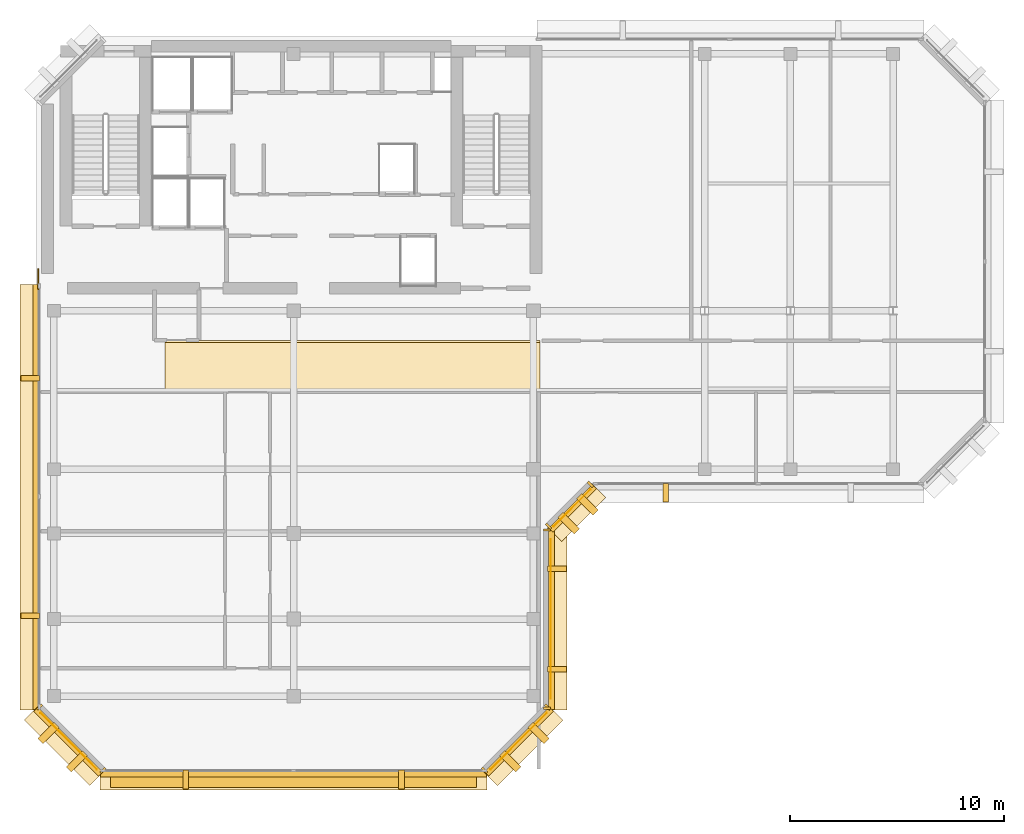
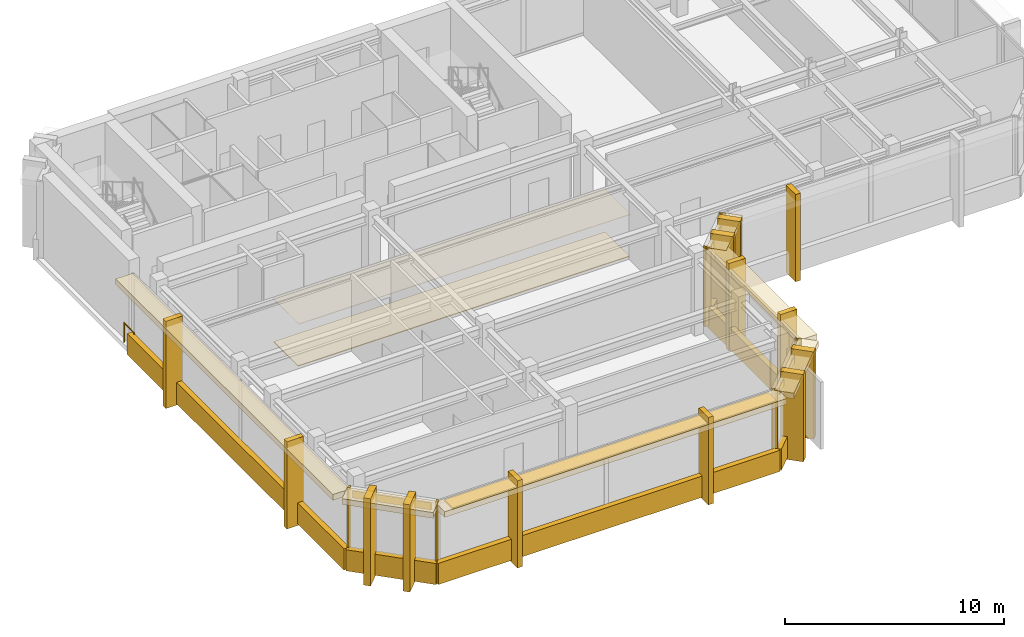
# One storey, part 7 of 9: 39 coverings, 1 railing, 1 shading device.
"""IFC4 building model written with IfcOpenShell, lengths in metres."""

from ifc_helpers import new_model, si_unit, direction, frame, origin, origin_2d, place, context, subcontext, project, spatial, polyline, rectangle, circle, outline, extrude, material, layer, layer_set, type_object, element, save


model = new_model("IFC4")

# Units and contexts
model_context = context("Model", 3, precision=1e-05, world=origin(), true_north=direction((0.0, 1.0)))
body_context = subcontext(model_context, "Body", "Model", "MODEL_VIEW")
ifc_project = project(units=[si_unit("LENGTHUNIT", "METRE"), si_unit("AREAUNIT", "SQUARE_METRE"), si_unit("VOLUMEUNIT", "CUBIC_METRE"), si_unit("PLANEANGLEUNIT", "RADIAN"), si_unit("MASSUNIT", "GRAM", prefix="KILO")], contexts=[model_context])

# Site, building, storey
site_placement = place(None, origin())
site = spatial("IfcSite", under=ifc_project, at=site_placement, CompositionType="ELEMENT")
building_placement = place(site_placement, origin())
building = spatial("IfcBuilding", under=site, at=building_placement, Name="Kefirva Bronze Tower", CompositionType="ELEMENT")
storey_placement = place(building_placement, frame((0.0, 0.0, 361.35009765625)))
storey = spatial("IfcBuildingStorey", under=building, at=storey_placement, Name="L88", CompositionType="ELEMENT", Elevation=361.35009765625)

# Coverings
ifc_material_1 = material(Name="Acoustic mineral tile")
ifc_layer_1 = layer(ifc_material_1, 0.02490234375, Name="Acoustic mineral tile")
ifc_layer_set_1 = layer_set([ifc_layer_1], Name="Acoustic mineral tile")
covering_type_1 = type_object("IfcCoveringType", Name="Acoustic Mineral Suspended Ceiling 25mm", PredefinedType="CEILING", material=ifc_layer_set_1)
covering_1_placement = place(storey_placement, frame((0.0, 0.0, 2.39990234375)))
element("IfcCovering", 1, at=covering_1_placement, inside=storey, type_object=covering_type_1, Name="L88 Corridor Acoustic Ceiling", PredefinedType="CEILING", context=body_context, shape_type="SweptSolid", body=[
    extrude(outline(polyline([(6.0, 29.39990234375), (23.5, 29.39990234375), (23.5, 31.800048828125), (6.0, 31.800048828125), (6.0, 29.39990234375)])), origin(), (0.0, 0.0, 1.0), 0.02490234375),
])
ifc_material_2 = material(Name="Bronze anodised aluminium", Category="aluminium")
ifc_layer_2 = layer(ifc_material_2, 0.02001953125, Name="Bronze anodised aluminium")
ifc_layer_set_2 = layer_set([ifc_layer_2], Name="Bronze anodised aluminium")
covering_type_2 = type_object("IfcCoveringType", Name="Anodised Bronze Spandrel Cladding 20mm", PredefinedType="CLADDING", material=ifc_layer_set_2)
covering_2_placement = place(storey_placement, frame((12.0, 11.56005859375, -0.16015625), z_axis=(0.0, 0.0, 1.0), x_axis=(1.0, 0.0, 0.0)))
element("IfcCovering", 2, at=covering_2_placement, inside=storey, type_object=covering_type_2, Name="L88 Streamline Horizontal Spandrel Band 0", PredefinedType="CLADDING", context=body_context, shape_type="SweptSolid", body=[
    extrude(rectangle(XDim=18.0400390625, YDim=0.280029296875, at=origin_2d()), origin(), (0.0, 0.0, 1.0), 1.179931640625),
])
covering_3_placement = place(storey_placement, frame((22.507080078125, 13.093017578125, 3.849853515625), z_axis=(0.0, 0.0, 1.0), x_axis=(0.707106781187, 0.707106781187, 0.0)))
element("IfcCovering", 3, at=covering_3_placement, inside=storey, type_object=covering_type_2, Name="L88 Bronze Spandrel Cladding 1", PredefinedType="CLADDING", context=body_context, shape_type="SweptSolid", body=[
    extrude(rectangle(XDim=3.719482421875, YDim=0.02001953125, at=origin_2d()), origin(), (0.0, 0.0, 1.0), 0.39990234375),
])
for number, where, z_axis, x_axis, name in (
    (4, (20.91162109375, 11.73779296875, 0.0), (0.0, 0.0, 1.0), (0.707106781187, 0.707106781187, 0.0), "L88 Facade Joint Closure Panel 1S"),
    (5, (23.862060546875, 14.688232421875, 0.0), (0.0, 0.0, 1.0), (0.707106781187, 0.707106781187, 0.0), "L88 Facade Joint Closure Panel 1E"),
):
    element("IfcCovering", number, at=place(storey_placement, frame(where, z_axis=z_axis, x_axis=x_axis)), inside=storey, type_object=covering_type_2, Name=name, PredefinedType="CLADDING", context=body_context, shape_type="SweptSolid", body=[
        extrude(rectangle(XDim=0.10009765625, YDim=0.320068359375, at=origin_2d()), origin(), (0.0, 0.0, 1.0), 4.27001953125),
    ])
covering_4_placement = place(storey_placement, frame((22.5283203125, 13.07177734375, -0.16015625), z_axis=(0.0, 0.0, 1.0), x_axis=(0.707106781187, 0.707106781187, 0.0)))
element("IfcCovering", 6, at=covering_4_placement, inside=storey, type_object=covering_type_2, Name="L88 Streamline Horizontal Spandrel Band 1", PredefinedType="CLADDING", context=body_context, shape_type="SweptSolid", body=[
    extrude(rectangle(XDim=4.28271484375, YDim=0.280029296875, at=origin_2d()), origin(), (0.0, 0.0, 1.0), 1.179931640625),
])
covering_5_placement = place(storey_placement, frame((24.010009765625, 18.800048828125, 3.849853515625), z_axis=(0.0, 0.0, 1.0), x_axis=(0.0, 1.0, 0.0)))
element("IfcCovering", 7, at=covering_5_placement, inside=storey, type_object=covering_type_2, Name="L88 Bronze Spandrel Cladding 2", PredefinedType="CLADDING", context=body_context, shape_type="SweptSolid", body=[
    extrude(rectangle(XDim=7.4609375, YDim=0.02001953125, at=origin_2d()), origin(), (0.0, 0.0, 1.0), 0.39990234375),
])
for number, where, z_axis, x_axis, name in (
    (8, (23.840087890625, 14.635009765625, 0.0), (0.0, 0.0, 1.0), (0.0, 1.0, 0.0), "L88 Facade Joint Closure Panel 2S"),
    (9, (23.840087890625, 22.965087890625, 0.0), (0.0, 0.0, 1.0), (0.0, 1.0, 0.0), "L88 Facade Joint Closure Panel 2E"),
):
    element("IfcCovering", number, at=place(storey_placement, frame(where, z_axis=z_axis, x_axis=x_axis)), inside=storey, type_object=covering_type_2, Name=name, PredefinedType="CLADDING", context=body_context, shape_type="SweptSolid", body=[
        extrude(rectangle(XDim=0.10009765625, YDim=0.320068359375, at=origin_2d()), origin(), (0.0, 0.0, 1.0), 4.27001953125),
    ])
covering_6_placement = place(storey_placement, frame((24.0400390625, 18.800048828125, -0.16015625), z_axis=(0.0, 0.0, 1.0), x_axis=(0.0, 1.0, 0.0)))
element("IfcCovering", 10, at=covering_6_placement, inside=storey, type_object=covering_type_2, Name="L88 Streamline Horizontal Spandrel Band 2", PredefinedType="CLADDING", context=body_context, shape_type="SweptSolid", body=[
    extrude(rectangle(XDim=8.43994140625, YDim=0.280029296875, at=origin_2d()), origin(), (0.0, 0.0, 1.0), 1.179931640625),
])
covering_7_placement = place(storey_placement, frame((25.007080078125, 23.992919921875, 3.849853515625), z_axis=(0.0, 0.0, 1.0), x_axis=(0.707106781187, 0.707106781187, 0.0)))
element("IfcCovering", 11, at=covering_7_placement, inside=storey, type_object=covering_type_2, Name="L88 Bronze Spandrel Cladding 3", PredefinedType="CLADDING", context=body_context, shape_type="SweptSolid", body=[
    extrude(rectangle(XDim=2.446533203125, YDim=0.02001953125, at=origin_2d()), origin(), (0.0, 0.0, 1.0), 0.39990234375),
])
for number, where, z_axis, x_axis, name in (
    (12, (23.91162109375, 23.137939453125, 0.0), (0.0, 0.0, 1.0), (0.707106781187, 0.707106781187, 0.0), "L88 Facade Joint Closure Panel 3S"),
    (13, (25.862060546875, 25.08837890625, 0.0), (0.0, 0.0, 1.0), (0.707106781187, 0.707106781187, 0.0), "L88 Facade Joint Closure Panel 3E"),
):
    element("IfcCovering", number, at=place(storey_placement, frame(where, z_axis=z_axis, x_axis=x_axis)), inside=storey, type_object=covering_type_2, Name=name, PredefinedType="CLADDING", context=body_context, shape_type="SweptSolid", body=[
        extrude(rectangle(XDim=0.10009765625, YDim=0.320068359375, at=origin_2d()), origin(), (0.0, 0.0, 1.0), 4.27001953125),
    ])
covering_8_placement = place(storey_placement, frame((25.0283203125, 23.9716796875, -0.16015625), z_axis=(0.0, 0.0, 1.0), x_axis=(0.707106781187, 0.707106781187, 0.0)))
element("IfcCovering", 14, at=covering_8_placement, inside=storey, type_object=covering_type_2, Name="L88 Streamline Horizontal Spandrel Band 3", PredefinedType="CLADDING", context=body_context, shape_type="SweptSolid", body=[
    extrude(rectangle(XDim=2.868408203125, YDim=0.280029296875, at=origin_2d()), origin(), (0.0, 0.0, 1.0), 1.179931640625),
])
covering_9_placement = place(storey_placement, frame((-0.0400390625, 24.49755859375, -0.16015625), z_axis=(0.0, 0.0, 1.0), x_axis=(0.0, -1.0, 0.0)))
element("IfcCovering", 15, at=covering_9_placement, inside=storey, type_object=covering_type_2, Name="L88 Streamline Horizontal Spandrel Band 10", PredefinedType="CLADDING", context=body_context, shape_type="SweptSolid", body=[
    extrude(rectangle(XDim=19.8349609375, YDim=0.280029296875, at=origin_2d()), origin(), (0.0, 0.0, 1.0), 1.179931640625),
])
covering_10_placement = place(storey_placement, frame((1.492919921875, 13.093017578125, 3.849853515625), z_axis=(0.0, 0.0, 1.0), x_axis=(0.707106781187, -0.707106781187, 0.0)))
element("IfcCovering", 16, at=covering_10_placement, inside=storey, type_object=covering_type_2, Name="L88 Bronze Spandrel Cladding 7", PredefinedType="CLADDING", context=body_context, shape_type="SweptSolid", body=[
    extrude(rectangle(XDim=3.719482421875, YDim=0.02001953125, at=origin_2d()), origin(), (0.0, 0.0, 1.0), 0.39990234375),
])
for number, where, z_axis, x_axis, name in (
    (17, (0.137939453125, 14.688232421875, 0.0), (0.0, 0.0, 1.0), (0.707106781187, -0.707106781187, 0.0), "L88 Facade Joint Closure Panel 7S"),
    (18, (3.08837890625, 11.73779296875, 0.0), (0.0, 0.0, 1.0), (0.707106781187, -0.707106781187, 0.0), "L88 Facade Joint Closure Panel 7E"),
):
    element("IfcCovering", number, at=place(storey_placement, frame(where, z_axis=z_axis, x_axis=x_axis)), inside=storey, type_object=covering_type_2, Name=name, PredefinedType="CLADDING", context=body_context, shape_type="SweptSolid", body=[
        extrude(rectangle(XDim=0.10009765625, YDim=0.320068359375, at=origin_2d()), origin(), (0.0, 0.0, 1.0), 4.27001953125),
    ])
covering_11_placement = place(storey_placement, frame((1.4716796875, 13.07177734375, -0.16015625), z_axis=(0.0, 0.0, 1.0), x_axis=(0.707106781187, -0.707106781187, 0.0)))
element("IfcCovering", 19, at=covering_11_placement, inside=storey, type_object=covering_type_2, Name="L88 Streamline Horizontal Spandrel Band 11", PredefinedType="CLADDING", context=body_context, shape_type="SweptSolid", body=[
    extrude(rectangle(XDim=4.28271484375, YDim=0.280029296875, at=origin_2d()), origin(), (0.0, 0.0, 1.0), 1.179931640625),
])

# Shading device
ifc_layer_3 = layer(ifc_material_2, 0.090087890625, Name="Bronze anodised aluminium")
ifc_layer_set_3 = layer_set([ifc_layer_3], Name="Bronze anodised aluminium")
shading_device_type = type_object("IfcShadingDeviceType", Name="Horizontal Bronze Sunshade Band 750mm", PredefinedType="JALOUSIE", material=ifc_layer_set_3)
shading_device_placement = place(storey_placement, frame((12.0, 11.304931640625, 4.1650390625), z_axis=(0.0, 0.0, 1.0), x_axis=(1.0, 0.0, 0.0)))
element("IfcShadingDevice", 20, at=shading_device_placement, inside=storey, type_object=shading_device_type, Name="L88 Horizontal Bronze Sunshade Band 0", PredefinedType="JALOUSIE", context=body_context, shape_type="SweptSolid", body=[
    extrude(rectangle(XDim=17.090087890625, YDim=0.75, at=origin_2d()), origin(), (0.0, 0.0, 1.0), 0.090087890625),
])

# Railing
ifc_material_3 = material(Name="Stainless steel 316", Category="steel")
railing_type = type_object("IfcRailingType", Name="Interior Stair Guardrail 1100mm", PredefinedType="GUARDRAIL", material=ifc_material_3)
railing_placement = place(storey_placement, frame((0.080078125, 34.199951171875, 0.0)))
element("IfcRailing", 21, at=railing_placement, inside=storey, type_object=railing_type, Name="L88 West Core Junction Guardrail", PredefinedType="GUARDRAIL", context=body_context, shape_type="SweptSolid", body=[
    extrude(circle(Radius=0.02392578125, at=origin_2d()), frame((0.0, 0.0, 1.076171875), z_axis=(0.0, 1.0, 0.0), x_axis=(-1.0, 0.0, 0.0)), (0.0, 0.0, 1.0), 0.949951171875),
    extrude(circle(Radius=0.02099609375, at=origin_2d()), origin(), (0.0, 0.0, 1.0), 1.052001953125),
    extrude(circle(Radius=0.02099609375, at=origin_2d()), frame((0.0, 0.949951171875, 0.0)), (0.0, 0.0, 1.0), 1.052001953125),
])

# Coverings
ifc_material_4 = material(Name="Calcium sulphate access tile")
ifc_layer_4 = layer(ifc_material_4, 0.044921875, Name="Calcium sulphate access tile")
ifc_layer_set_4 = layer_set([ifc_layer_4], Name="Calcium sulphate access tile")
covering_type_3 = type_object("IfcCoveringType", Name="Raised Access Office Flooring 45mm", PredefinedType="FLOORING", material=ifc_layer_set_4)
covering_12_placement = place(storey_placement, origin())
element("IfcCovering", 22, at=covering_12_placement, inside=storey, type_object=covering_type_3, Name="L88 Architectural Finish Flooring", PredefinedType="FLOORING", context=body_context, shape_type="SweptSolid", body=[
    extrude(outline(polyline([(6.0, 29.47998046875), (23.5, 29.47998046875), (23.5, 31.719970703125), (6.0, 31.719970703125), (6.0, 29.47998046875)])), origin(), (0.0, 0.0, 1.0), 0.044921875),
])
ifc_layer_5 = layer(ifc_material_2, 0.179931640625, Name="Bronze anodised aluminium")
ifc_layer_set_5 = layer_set([ifc_layer_5], Name="Bronze anodised aluminium")
covering_type_4 = type_object("IfcCoveringType", Name="Streamline Bronze Sunshade Eyebrow Cladding 180mm", PredefinedType="CLADDING", material=ifc_layer_set_5)
covering_13_placement = place(storey_placement, frame((12.0, 11.2900390625, 3.94970703125), z_axis=(0.0, 0.0, 1.0), x_axis=(1.0, 0.0, 0.0)))
element("IfcCovering", 23, at=covering_13_placement, inside=storey, type_object=covering_type_4, Name="L88 Streamline Bronze Sunshade Eyebrow 0", PredefinedType="CLADDING", context=body_context, shape_type="SweptSolid", body=[
    extrude(rectangle(XDim=18.080078125, YDim=0.93994140625, at=origin_2d()), origin(), (0.0, 0.0, 1.0), 0.320068359375),
])
covering_14_placement = place(storey_placement, frame((22.71923828125, 12.880859375, 3.94970703125), z_axis=(0.0, 0.0, 1.0), x_axis=(0.707106781187, 0.707106781187, 0.0)))
element("IfcCovering", 24, at=covering_14_placement, inside=storey, type_object=covering_type_4, Name="L88 Streamline Bronze Sunshade Eyebrow 1", PredefinedType="CLADDING", context=body_context, shape_type="SweptSolid", body=[
    extrude(rectangle(XDim=4.322509765625, YDim=0.93994140625, at=origin_2d()), origin(), (0.0, 0.0, 1.0), 0.320068359375),
])
covering_15_placement = place(storey_placement, frame((24.31005859375, 18.800048828125, 3.94970703125), z_axis=(0.0, 0.0, 1.0), x_axis=(0.0, 1.0, 0.0)))
element("IfcCovering", 25, at=covering_15_placement, inside=storey, type_object=covering_type_4, Name="L88 Streamline Bronze Sunshade Eyebrow 2", PredefinedType="CLADDING", context=body_context, shape_type="SweptSolid", body=[
    extrude(rectangle(XDim=8.47998046875, YDim=0.93994140625, at=origin_2d()), origin(), (0.0, 0.0, 1.0), 0.320068359375),
])
covering_16_placement = place(storey_placement, frame((25.21923828125, 23.78076171875, 3.94970703125), z_axis=(0.0, 0.0, 1.0), x_axis=(0.707106781187, 0.707106781187, 0.0)))
element("IfcCovering", 26, at=covering_16_placement, inside=storey, type_object=covering_type_4, Name="L88 Streamline Bronze Sunshade Eyebrow 3", PredefinedType="CLADDING", context=body_context, shape_type="SweptSolid", body=[
    extrude(rectangle(XDim=2.908447265625, YDim=0.93994140625, at=origin_2d()), origin(), (0.0, 0.0, 1.0), 0.320068359375),
])
covering_17_placement = place(storey_placement, frame((-0.31005859375, 24.49755859375, 3.94970703125), z_axis=(0.0, 0.0, 1.0), x_axis=(0.0, -1.0, 0.0)))
element("IfcCovering", 27, at=covering_17_placement, inside=storey, type_object=covering_type_4, Name="L88 Streamline Bronze Sunshade Eyebrow 10", PredefinedType="CLADDING", context=body_context, shape_type="SweptSolid", body=[
    extrude(rectangle(XDim=19.875, YDim=0.93994140625, at=origin_2d()), origin(), (0.0, 0.0, 1.0), 0.320068359375),
])
covering_18_placement = place(storey_placement, frame((1.28076171875, 12.880859375, 3.94970703125), z_axis=(0.0, 0.0, 1.0), x_axis=(0.707106781187, -0.707106781187, 0.0)))
element("IfcCovering", 28, at=covering_18_placement, inside=storey, type_object=covering_type_4, Name="L88 Streamline Bronze Sunshade Eyebrow 11", PredefinedType="CLADDING", context=body_context, shape_type="SweptSolid", body=[
    extrude(rectangle(XDim=4.322509765625, YDim=0.93994140625, at=origin_2d()), origin(), (0.0, 0.0, 1.0), 0.320068359375),
])
ifc_layer_6 = layer(ifc_material_2, 0.260009765625, Name="Bronze anodised aluminium")
ifc_layer_set_6 = layer_set([ifc_layer_6], Name="Bronze anodised aluminium")
covering_type_5 = type_object("IfcCoveringType", Name="Unbroken Bronze Buttress Fin Cladding 260mm", PredefinedType="CLADDING", material=ifc_layer_set_6)
for number, where, z_axis, x_axis, name in (
    (29, (6.9599609375, 11.300048828125, -0.250244140625), (0.0, 0.0, 1.0), (1.0, 0.0, 0.0), "L88 Unbroken Vertical Bronze Rib Fin 1"),
    (30, (17.0400390625, 11.300048828125, -0.250244140625), (0.0, 0.0, 1.0), (1.0, 0.0, 0.0), "L88 Unbroken Vertical Bronze Rib Fin 2"),
):
    element("IfcCovering", number, at=place(storey_placement, frame(where, z_axis=z_axis, x_axis=x_axis)), inside=storey, type_object=covering_type_5, Name=name, PredefinedType="CLADDING", context=body_context, shape_type="SweptSolid", body=[
        extrude(rectangle(XDim=0.260009765625, YDim=0.8798828125, at=origin_2d()), origin(), (0.0, 0.0, 1.0), 4.8701171875),
    ])
for number, where, z_axis, x_axis, name in (
    (31, (22.122802734375, 12.1572265625, -0.250244140625), (0.0, 0.0, 1.0), (0.707106781187, 0.707106781187, 0.0), "L88 Chamfered Corner Buttress Fin Cladding 3"),
    (32, (23.44287109375, 13.477294921875, -0.250244140625), (0.0, 0.0, 1.0), (0.707106781187, 0.707106781187, 0.0), "L88 Chamfered Corner Buttress Fin Cladding 4"),
):
    element("IfcCovering", number, at=place(storey_placement, frame(where, z_axis=z_axis, x_axis=x_axis)), inside=storey, type_object=covering_type_5, Name=name, PredefinedType="CLADDING", context=body_context, shape_type="SweptSolid", body=[
        extrude(rectangle(XDim=0.340087890625, YDim=1.080078125, at=origin_2d()), origin(), (0.0, 0.0, 1.0), 4.8701171875),
    ])
for number, where, z_axis, x_axis, name in (
    (33, (24.300048828125, 16.447998046875, -0.250244140625), (0.0, 0.0, 1.0), (0.0, 1.0, 0.0), "L88 Unbroken Vertical Bronze Rib Fin 5"),
    (34, (24.300048828125, 21.152099609375, -0.250244140625), (0.0, 0.0, 1.0), (0.0, 1.0, 0.0), "L88 Unbroken Vertical Bronze Rib Fin 6"),
):
    element("IfcCovering", number, at=place(storey_placement, frame(where, z_axis=z_axis, x_axis=x_axis)), inside=storey, type_object=covering_type_5, Name=name, PredefinedType="CLADDING", context=body_context, shape_type="SweptSolid", body=[
        extrude(rectangle(XDim=0.260009765625, YDim=0.8798828125, at=origin_2d()), origin(), (0.0, 0.0, 1.0), 4.8701171875),
    ])
for number, where, z_axis, x_axis, name in (
    (35, (24.8427734375, 23.277099609375, -0.250244140625), (0.0, 0.0, 1.0), (0.707106781187, 0.707106781187, 0.0), "L88 Chamfered Corner Buttress Fin Cladding 7"),
    (36, (25.722900390625, 24.1572265625, -0.250244140625), (0.0, 0.0, 1.0), (0.707106781187, 0.707106781187, 0.0), "L88 Chamfered Corner Buttress Fin Cladding 8"),
):
    element("IfcCovering", number, at=place(storey_placement, frame(where, z_axis=z_axis, x_axis=x_axis)), inside=storey, type_object=covering_type_5, Name=name, PredefinedType="CLADDING", context=body_context, shape_type="SweptSolid", body=[
        extrude(rectangle(XDim=0.340087890625, YDim=1.080078125, at=origin_2d()), origin(), (0.0, 0.0, 1.0), 4.8701171875),
    ])
for number, where, z_axis, x_axis, name in (
    (37, (29.387939453125, 24.699951171875, -0.250244140625), (0.0, 0.0, 1.0), (1.0, 0.0, 0.0), "L88 Unbroken Vertical Bronze Rib Fin 9"),
    (38, (-0.300048828125, 30.0400390625, -0.250244140625), (0.0, 0.0, 1.0), (0.0, -1.0, 0.0), "L88 Unbroken Vertical Bronze Rib Fin 21"),
    (39, (-0.300048828125, 18.954833984375, -0.250244140625), (0.0, 0.0, 1.0), (0.0, -1.0, 0.0), "L88 Unbroken Vertical Bronze Rib Fin 22"),
):
    element("IfcCovering", number, at=place(storey_placement, frame(where, z_axis=z_axis, x_axis=x_axis)), inside=storey, type_object=covering_type_5, Name=name, PredefinedType="CLADDING", context=body_context, shape_type="SweptSolid", body=[
        extrude(rectangle(XDim=0.260009765625, YDim=0.8798828125, at=origin_2d()), origin(), (0.0, 0.0, 1.0), 4.8701171875),
    ])
for number, where, z_axis, x_axis, name in (
    (40, (0.55712890625, 13.477294921875, -0.250244140625), (0.0, 0.0, 1.0), (0.707106781187, -0.707106781187, 0.0), "L88 Chamfered Corner Buttress Fin Cladding 23"),
    (41, (1.877197265625, 12.1572265625, -0.250244140625), (0.0, 0.0, 1.0), (0.707106781187, -0.707106781187, 0.0), "L88 Chamfered Corner Buttress Fin Cladding 24"),
):
    element("IfcCovering", number, at=place(storey_placement, frame(where, z_axis=z_axis, x_axis=x_axis)), inside=storey, type_object=covering_type_5, Name=name, PredefinedType="CLADDING", context=body_context, shape_type="SweptSolid", body=[
        extrude(rectangle(XDim=0.340087890625, YDim=1.080078125, at=origin_2d()), origin(), (0.0, 0.0, 1.0), 4.8701171875),
    ])

save(model, "model.ifc")
